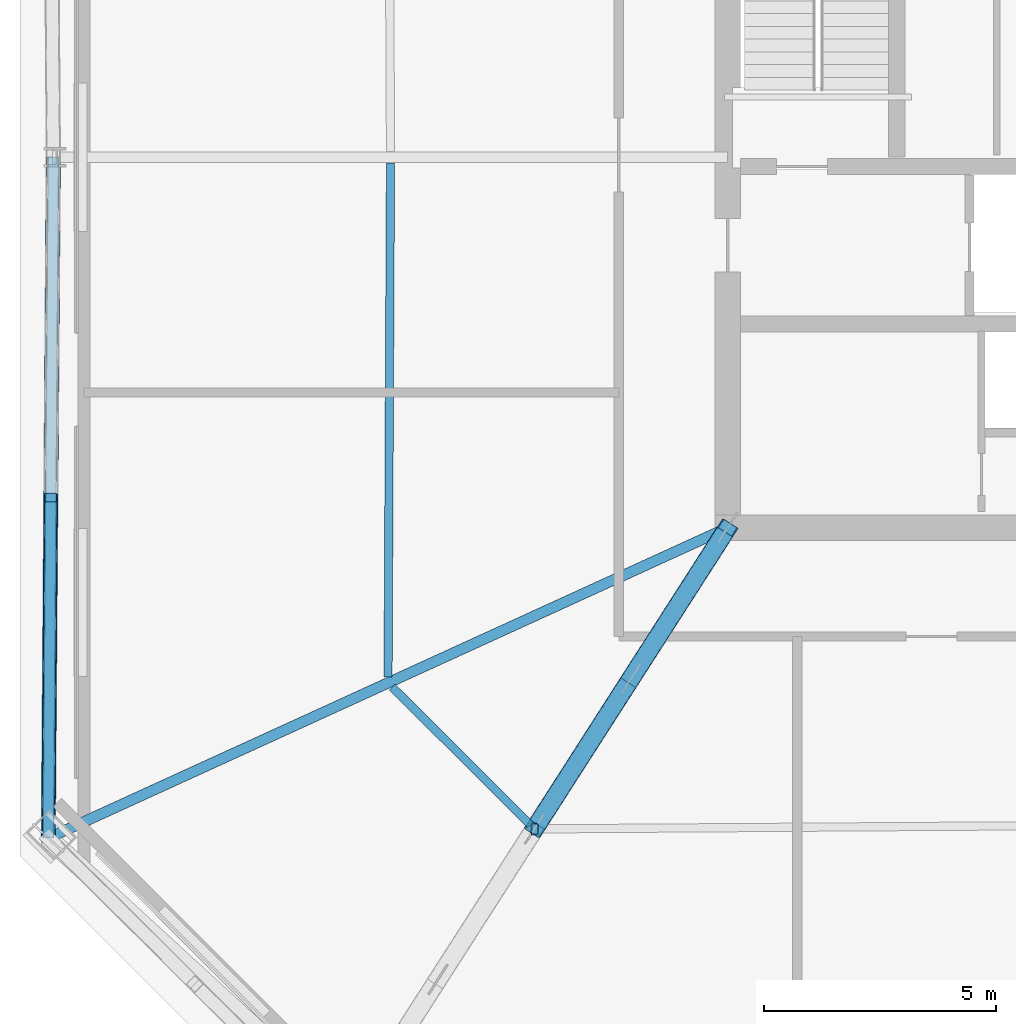
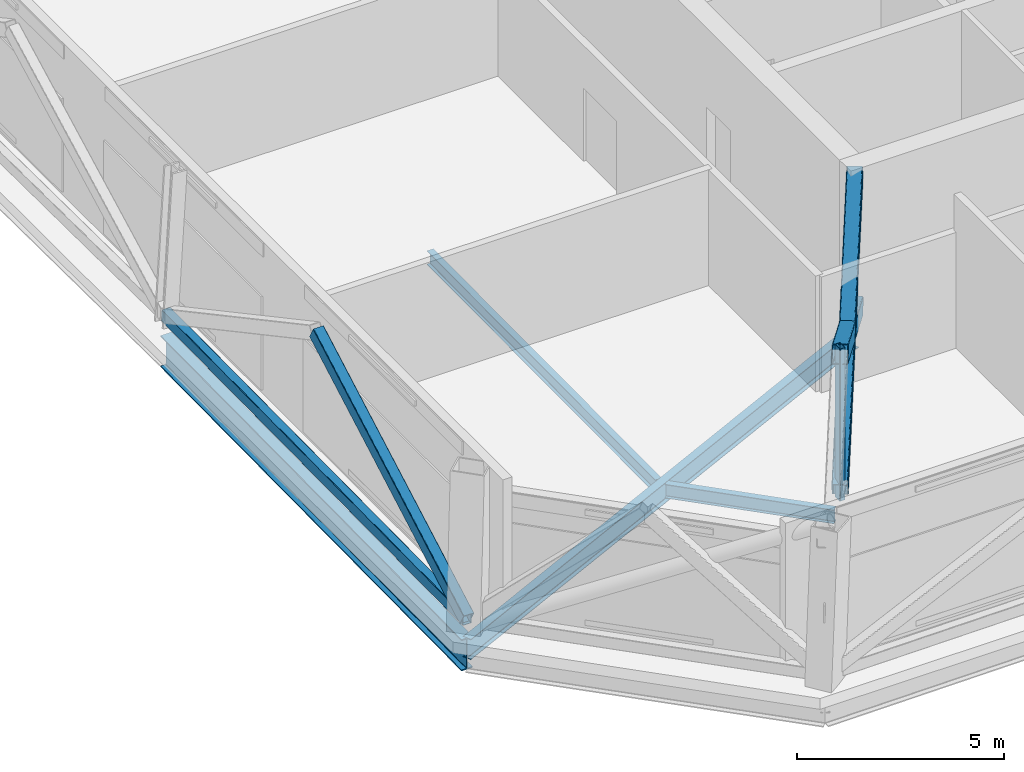
# One storey, part 2 of 15: 6 members, 4 beams.
"""IFC4 building model written with IfcOpenShell, lengths in metres."""

from ifc_helpers import new_model, si_unit, direction, frame, origin, origin_2d, place, context, subcontext, project, spatial, hollow_rectangle, i_section, extrude, material, material_profile, profile_set, type_object, element, save


model = new_model("IFC4")

# Units and contexts
model_context = context("Model", 3, precision=1e-05, world=origin(), true_north=direction((0.0, 1.0)))
body_context = subcontext(model_context, "Body", "Model", "MODEL_VIEW")
ifc_project = project(units=[si_unit("LENGTHUNIT", "METRE"), si_unit("AREAUNIT", "SQUARE_METRE"), si_unit("VOLUMEUNIT", "CUBIC_METRE"), si_unit("PLANEANGLEUNIT", "RADIAN"), si_unit("MASSUNIT", "GRAM", prefix="KILO")], contexts=[model_context])

# Site, building, storey
site_placement = place(None, origin())
site = spatial("IfcSite", under=ifc_project, at=site_placement, CompositionType="ELEMENT")
building_placement = place(site_placement, origin())
building = spatial("IfcBuilding", under=site, at=building_placement, Name="Caelvoria Tower", CompositionType="ELEMENT")
storey_placement = place(building_placement, frame((0.0, 0.0, 167.199951171875)))
storey = spatial("IfcBuildingStorey", under=building, at=storey_placement, Name="L44", CompositionType="ELEMENT", Elevation=167.199951171875)

# Members
ifc_material_1 = material(Name="Structural Steel ASTM A572 Gr.50", Category="steel")
ifc_material_profile_1 = material_profile(ifc_material_1, hollow_rectangle(XDim=0.25, YDim=0.35009765625, WallThickness=0.013916015625, InnerFilletRadius=0.013916015625, OuterFilletRadius=0.028076171875, at=origin_2d()), Name="Structural Steel ASTM A572 Gr.50")
ifc_profile_set_1 = profile_set([ifc_material_profile_1], Name="HSS350X250X14 - Structural Steel ASTM A572 Gr.50")
member_type_1 = type_object("IfcMemberType", Name="Belt Truss Chord Member HSS350X250X14", PredefinedType="CHORD", material=ifc_profile_set_1)
member_1_placement = place(storey_placement, frame((22.43994140625, 32.0, 0.25), z_axis=(-0.007373744922, -0.999972813573, 0.0), x_axis=(0.999972813573, -0.007373744922, 0.0)))
element("IfcMember", 1, at=member_1_placement, inside=storey, type_object=member_type_1, Name="Belt Truss Bottom Chord L44-10", PredefinedType="CHORD", context=body_context, shape_type="SweptSolid", body=[
    extrude(hollow_rectangle(XDim=0.25, YDim=0.35009765625, WallThickness=0.013916015625, InnerFilletRadius=0.013916015625, OuterFilletRadius=0.028076171875, at=origin_2d()), origin(), (0.0, 0.0, 1.0), 14.70068359375),
])
ifc_material_profile_2 = material_profile(ifc_material_1, hollow_rectangle(XDim=0.300048828125, YDim=0.39990234375, WallThickness=0.01611328125, InnerFilletRadius=0.01611328125, OuterFilletRadius=0.031982421875, at=origin_2d()), Name="Structural Steel ASTM A572 Gr.50")
ifc_profile_set_2 = profile_set([ifc_material_profile_2], Name="HSS400X300X16 - Structural Steel ASTM A572 Gr.50")
member_type_2 = type_object("IfcMemberType", Name="Belt Truss Diagonal HSS400X300X16", PredefinedType="BRACE", material=ifc_profile_set_2)
member_2_placement = place(storey_placement, frame((22.3857421875, 24.64990234375, 4.22998046875), z_axis=(-0.006484203153, -0.879339730318, -0.476150809926), x_axis=(0.999972813573, -0.007373744922, 0.0)))
element("IfcMember", 2, at=member_2_placement, inside=storey, type_object=member_type_2, Name="Belt Truss Diagonal L44-10B", PredefinedType="BRACE", context=body_context, shape_type="SweptSolid", body=[
    extrude(hollow_rectangle(XDim=0.300048828125, YDim=0.39990234375, WallThickness=0.01611328125, InnerFilletRadius=0.01611328125, OuterFilletRadius=0.031982421875, at=origin_2d()), origin(), (0.0, 0.0, 1.0), 8.358642578125),
])
ifc_material_profile_3 = material_profile(ifc_material_1, hollow_rectangle(XDim=0.39990234375, YDim=0.5, WallThickness=0.02197265625, InnerFilletRadius=0.02197265625, OuterFilletRadius=0.0439453125, at=origin_2d()), Name="Structural Steel ASTM A572 Gr.50")
ifc_profile_set_3 = profile_set([ifc_material_profile_3], Name="HSS500X400X22 - Structural Steel ASTM A572 Gr.50")
member_type_3 = type_object("IfcMemberType", Name="Outrigger Diagonal HSS500X400X22", PredefinedType="BRACE", material=ifc_profile_set_3)
member_3_placement = place(storey_placement, frame((37.0, 24.0, 0.25), z_axis=(-0.479958044206, -0.748255827054, 0.457988529422), x_axis=(0.841722265045, -0.539910759782, 0.0)))
element("IfcMember", 3, at=member_3_placement, inside=storey, type_object=member_type_3, Name="Outrigger Truss Diagonal L44-SW-1A", PredefinedType="BRACE", context=body_context, shape_type="SweptSolid", body=[
    extrude(hollow_rectangle(XDim=0.39990234375, YDim=0.5, WallThickness=0.02197265625, InnerFilletRadius=0.02197265625, OuterFilletRadius=0.0439453125, at=origin_2d()), origin(), (0.0, 0.0, 1.0), 8.690185546875),
])
for number, where, z_axis, x_axis, name in (
    (4, (37.0, 24.0, 4.22998046875), (-0.479958044206, -0.748255827054, -0.457988529422), (0.841722265045, -0.539910759782, 0.0), "Outrigger Truss Diagonal L44-SW-1B1"),
    (5, (34.91455078125, 20.748779296875, 2.239990234375), (-0.479958044206, -0.748255827054, -0.457988529422), (0.841722265045, -0.539910759782, 0.0), "Outrigger Truss Diagonal L44-SW-1B2"),
):
    element("IfcMember", number, at=place(storey_placement, frame(where, z_axis=z_axis, x_axis=x_axis)), inside=storey, type_object=member_type_3, Name=name, PredefinedType="BRACE", context=body_context, shape_type="SweptSolid", body=[
        extrude(hollow_rectangle(XDim=0.39990234375, YDim=0.5, WallThickness=0.02197265625, InnerFilletRadius=0.02197265625, OuterFilletRadius=0.0439453125, at=origin_2d()), origin(), (0.0, 0.0, 1.0), 4.344970703125),
    ])

# Beams
ifc_material_2 = material(Name="Structural Steel ASTM A992 Gr.50", Category="steel")
ifc_material_profile_4 = material_profile(ifc_material_2, i_section(OverallWidth=0.30810546875, OverallDepth=0.927001953125, WebThickness=0.019287109375, FlangeThickness=0.031982421875, FilletRadius=0.02392578125, at=origin_2d()), Name="Structural Steel ASTM A992 Gr.50")
ifc_profile_set_4 = profile_set([ifc_material_profile_4], Name="W920X289 - Structural Steel ASTM A992 Gr.50")
beam_type_1 = type_object("IfcBeamType", Name="Outrigger Tie Girder W920X289", PredefinedType="BEAM", material=ifc_profile_set_4)
beam_1_placement = place(storey_placement, frame((22.43994140625, 32.0, -0.783447265625), z_axis=(-0.007373744922, -0.999972813573, 0.0), x_axis=(0.999972813573, -0.007373744922, 0.0)))
element("IfcBeam", 6, at=beam_1_placement, inside=storey, type_object=beam_type_1, Name="Perimeter Spandrel Girder L44-10", PredefinedType="BEAM", context=body_context, shape_type="SweptSolid", body=[
    extrude(i_section(OverallWidth=0.30810546875, OverallDepth=0.927001953125, WebThickness=0.019287109375, FlangeThickness=0.031982421875, FilletRadius=0.02392578125, at=origin_2d()), origin(), (0.0, 0.0, 1.0), 14.70068359375),
])
ifc_material_profile_5 = material_profile(ifc_material_2, i_section(OverallWidth=0.22802734375, OverallDepth=0.60302734375, WebThickness=0.010498046875, FlangeThickness=0.014892578125, FilletRadius=0.01806640625, at=origin_2d()), Name="Structural Steel ASTM A992 Gr.50")
ifc_profile_set_5 = profile_set([ifc_material_profile_5], Name="W610X101 - Structural Steel ASTM A992 Gr.50")
beam_type_2 = type_object("IfcBeamType", Name="Primary Floor Girder W610X101", PredefinedType="BEAM", material=ifc_profile_set_5)
beam_2_placement = place(storey_placement, frame((37.0, 24.0, -0.621337890625), z_axis=(-0.909600700285, -0.415483532816, 0.0), x_axis=(0.415483532816, -0.909600700285, 0.0)))
element("IfcBeam", 7, at=beam_2_placement, inside=storey, type_object=beam_type_2, Name="Primary Floor Girder L44-11", PredefinedType="BEAM", context=body_context, shape_type="SweptSolid", body=[
    extrude(i_section(OverallWidth=0.22802734375, OverallDepth=0.60302734375, WebThickness=0.010498046875, FlangeThickness=0.014892578125, FilletRadius=0.01806640625, at=origin_2d()), origin(), (0.0, 0.0, 1.0), 16.126220703125),
])
ifc_material_profile_6 = material_profile(ifc_material_2, i_section(OverallWidth=0.177978515625, OverallDepth=0.406982421875, WebThickness=0.0078125, FlangeThickness=0.0126953125, FilletRadius=0.013916015625, at=origin_2d()), Name="Structural Steel ASTM A992 Gr.50")
ifc_profile_set_6 = profile_set([ifc_material_profile_6], Name="W410X60 - Structural Steel ASTM A992 Gr.50")
beam_type_3 = type_object("IfcBeamType", Name="Secondary Floor Beam W410X60", PredefinedType="BEAM", material=ifc_profile_set_6)
beam_3_placement = place(storey_placement, frame((29.719482421875, 31.875, -0.5234375), z_axis=(-0.004772742895, -0.999988610398, 0.0), x_axis=(0.999988610398, -0.004772742895, 0.0)))
element("IfcBeam", 8, at=beam_3_placement, inside=storey, type_object=beam_type_3, Name="Secondary Floor Beam L44-10", PredefinedType="BEAM", context=body_context, shape_type="SweptSolid", body=[
    extrude(i_section(OverallWidth=0.177978515625, OverallDepth=0.406982421875, WebThickness=0.0078125, FlangeThickness=0.0126953125, FilletRadius=0.013916015625, at=origin_2d()), origin(), (0.0, 0.0, 1.0), 11.100341796875),
])
beam_4_placement = place(storey_placement, frame((29.75439453125, 20.561767578125, -0.5234375), z_axis=(0.708321788303, -0.705889682751, 0.0), x_axis=(0.705889682751, 0.708321788303, 0.0)))
element("IfcBeam", 9, at=beam_4_placement, inside=storey, type_object=beam_type_3, Name="Secondary Floor Beam L44-11", PredefinedType="BEAM", context=body_context, shape_type="SweptSolid", body=[
    extrude(i_section(OverallWidth=0.177978515625, OverallDepth=0.406982421875, WebThickness=0.0078125, FlangeThickness=0.0126953125, FilletRadius=0.013916015625, at=origin_2d()), origin(), (0.0, 0.0, 1.0), 4.216064453125),
])

# Member
ifc_material_profile_7 = material_profile(ifc_material_1, hollow_rectangle(XDim=0.14990234375, YDim=0.25, WallThickness=0.010009765625, InnerFilletRadius=0.010009765625, OuterFilletRadius=0.02001953125, at=origin_2d()), Name="Structural Steel ASTM A572 Gr.50")
ifc_profile_set_7 = profile_set([ifc_material_profile_7], Name="HSS250X150X10 - Structural Steel ASTM A572 Gr.50")
member_type_4 = type_object("IfcMemberType", Name="Sky Pool Truss Post HSS250X150X10", PredefinedType="POST", material=ifc_profile_set_7)
member_4_placement = place(storey_placement, frame((32.8291015625, 17.49755859375, 0.0), z_axis=(0.0, 0.0, 1.0), x_axis=(1.0, 0.0, 0.0)))
element("IfcMember", 10, at=member_4_placement, inside=storey, type_object=member_type_4, Name="Outrigger Mid-Panel Post L44-SW", PredefinedType="POST", context=body_context, shape_type="SweptSolid", body=[
    extrude(hollow_rectangle(XDim=0.14990234375, YDim=0.25, WallThickness=0.010009765625, InnerFilletRadius=0.010009765625, OuterFilletRadius=0.02001953125, at=origin_2d()), origin(), (0.0, 0.0, 1.0), 4.47998046875),
])

save(model, "model.ifc")
